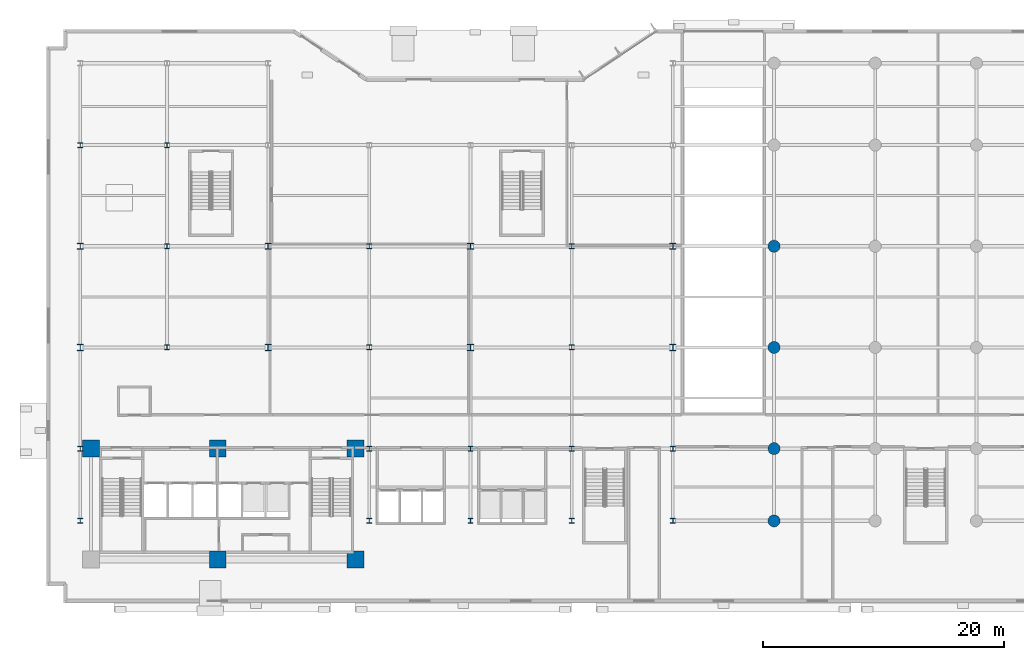
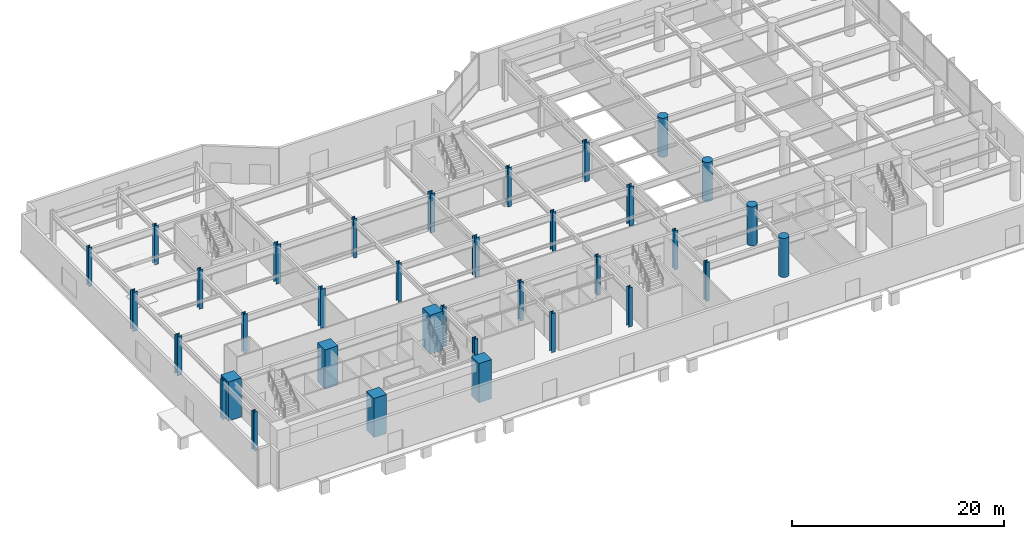
# One storey, part 2 of 26: 35 columns.
"""IFC4 building model written with IfcOpenShell, lengths in metres."""

from ifc_helpers import new_model, si_unit, direction, frame, origin, origin_2d, place, context, subcontext, project, spatial, rectangle, circle, i_section, extrude, material, material_profile, profile_set, type_object, element, save


model = new_model("IFC4")

# Units and contexts
model_context = context("Model", 3, precision=1e-05, world=origin(), true_north=direction((0.0, 1.0)))
body_context = subcontext(model_context, "Body", "Model", "MODEL_VIEW")
ifc_project = project(units=[si_unit("LENGTHUNIT", "METRE"), si_unit("AREAUNIT", "SQUARE_METRE"), si_unit("VOLUMEUNIT", "CUBIC_METRE"), si_unit("PLANEANGLEUNIT", "RADIAN"), si_unit("MASSUNIT", "GRAM", prefix="KILO")], contexts=[model_context])

# Site, building, storey
site_placement = place(None, origin())
site = spatial("IfcSite", under=ifc_project, at=site_placement, CompositionType="ELEMENT")
building_placement = place(site_placement, origin())
building = spatial("IfcBuilding", under=site, at=building_placement, Name="Varnakote Quay Hospital", CompositionType="ELEMENT")
storey_placement = place(building_placement, origin())
storey = spatial("IfcBuildingStorey", under=building, at=storey_placement, Name="L00", CompositionType="ELEMENT", Elevation=0.0)

# Columns
ifc_material_1 = material(Name="Concrete N80 (f'c 80 MPa)", Category="concrete")
ifc_material_profile_1 = material_profile(ifc_material_1, rectangle(XDim=1.39990234375, YDim=1.39990234375, at=origin_2d()), Name="RC-COL-1400x1400")
ifc_profile_set_1 = profile_set([ifc_material_profile_1], Name="Concrete N80 (f'c 80 MPa)")
column_type_1 = type_object("IfcColumnType", Name="COL-RC-1400", PredefinedType="COLUMN", material=ifc_profile_set_1)
for number, where, z_axis, x_axis, name in (
    (1, (12.6201171875, 2.800048828125, 0.0), (0.0, 0.0, 1.0), (1.0, 0.0, 0.0), "L00 Structural Column C-13-3"),
    (2, (24.050048828125, 2.800048828125, 0.0), (0.0, 0.0, 1.0), (1.0, 0.0, 0.0), "L00 Structural Column C-24-3"),
    (3, (2.10009765625, 12.0, 0.0), (0.0, 0.0, 1.0), (1.0, 0.0, 0.0), "L00 Structural Column C-2-12"),
    (4, (12.6201171875, 12.0, 0.0), (0.0, 0.0, 1.0), (1.0, 0.0, 0.0), "L00 Structural Column C-13-12"),
    (5, (24.050048828125, 12.0, 0.0), (0.0, 0.0, 1.0), (1.0, 0.0, 0.0), "L00 Structural Column C-24-12"),
):
    element("IfcColumn", number, at=place(storey_placement, frame(where, z_axis=z_axis, x_axis=x_axis)), inside=storey, type_object=column_type_1, Name=name, PredefinedType="COLUMN", context=body_context, shape_type="SweptSolid", body=[
        extrude(rectangle(XDim=1.39990234375, YDim=1.39990234375, at=origin_2d()), origin(), (0.0, 0.0, 1.0), 4.5),
    ])
ifc_material_2 = material(Name="Concrete N65 (f'c 65 MPa)", Category="concrete")
ifc_material_profile_2 = material_profile(ifc_material_2, circle(Radius=0.5, at=origin_2d()), Name="RC-COL-D1000")
ifc_profile_set_2 = profile_set([ifc_material_profile_2], Name="Concrete N65 (f'c 65 MPa)")
column_type_2 = type_object("IfcColumnType", Name="COL-RC-D1000", PredefinedType="COLUMN", material=ifc_profile_set_2)
for number, where, z_axis, x_axis, name in (
    (6, (58.800048828125, 6.0, 0.0), (0.0, 0.0, 1.0), (1.0, 0.0, 0.0), "L00 Structural Column C-59-6"),
    (7, (58.800048828125, 12.0, 0.0), (0.0, 0.0, 1.0), (1.0, 0.0, 0.0), "L00 Structural Column C-59-12"),
    (8, (58.800048828125, 20.39990234375, 0.0), (0.0, 0.0, 1.0), (1.0, 0.0, 0.0), "L00 Structural Column C-59-20"),
    (9, (58.800048828125, 28.800048828125, 0.0), (0.0, 0.0, 1.0), (1.0, 0.0, 0.0), "L00 Structural Column C-59-29"),
):
    element("IfcColumn", number, at=place(storey_placement, frame(where, z_axis=z_axis, x_axis=x_axis)), inside=storey, type_object=column_type_2, Name=name, PredefinedType="COLUMN", context=body_context, shape_type="SweptSolid", body=[
        extrude(circle(Radius=0.5, at=origin_2d()), origin(), (0.0, 0.0, 1.0), 4.5),
    ])
ifc_material_3 = material(Name="Structural steel AS/NZS 3678 Grade 350 (fy 340 MPa)", Category="steel")
ifc_material_profile_3 = material_profile(ifc_material_3, i_section(OverallWidth=0.39990234375, OverallDepth=0.419921875, WebThickness=0.02490234375, FlangeThickness=0.0400390625, at=origin_2d()), Name="400WC328")
ifc_profile_set_3 = profile_set([ifc_material_profile_3], Name="Structural steel AS/NZS 3678 Grade 350 (fy 340 MPa)")
column_type_3 = type_object("IfcColumnType", Name="COL-STL-400WC328", PredefinedType="COLUMN", material=ifc_profile_set_3)
for number, where, z_axis, x_axis, name in (
    (10, (1.199951171875, 6.0, 0.0), (0.0, 0.0, 1.0), (1.0, 0.0, 0.0), "L00 Structural Column C-1-6"),
    (11, (25.199951171875, 6.0, 0.0), (0.0, 0.0, 1.0), (1.0, 0.0, 0.0), "L00 Structural Column C-25-6"),
    (12, (33.60009765625, 6.0, 0.0), (0.0, 0.0, 1.0), (1.0, 0.0, 0.0), "L00 Structural Column C-34-6"),
    (13, (42.0, 6.0, 0.0), (0.0, 0.0, 1.0), (1.0, 0.0, 0.0), "L00 Structural Column C-42-6"),
    (14, (50.39990234375, 6.0, 0.0), (0.0, 0.0, 1.0), (1.0, 0.0, 0.0), "L00 Structural Column C-50-6"),
    (15, (1.199951171875, 12.0, 0.0), (0.0, 0.0, 1.0), (1.0, 0.0, 0.0), "L00 Structural Column C-1-12"),
    (16, (25.199951171875, 12.0, 0.0), (0.0, 0.0, 1.0), (1.0, 0.0, 0.0), "L00 Structural Column C-25-12"),
    (17, (33.60009765625, 12.0, 0.0), (0.0, 0.0, 1.0), (1.0, 0.0, 0.0), "L00 Structural Column C-34-12"),
    (18, (42.0, 12.0, 0.0), (0.0, 0.0, 1.0), (1.0, 0.0, 0.0), "L00 Structural Column C-42-12"),
    (19, (50.39990234375, 12.0, 0.0), (0.0, 0.0, 1.0), (1.0, 0.0, 0.0), "L00 Structural Column C-50-12"),
    (20, (8.39990234375, 20.39990234375, 0.0), (0.0, 0.0, 1.0), (1.0, 0.0, 0.0), "L00 Structural Column C-8-20"),
    (21, (25.199951171875, 20.39990234375, 0.0), (0.0, 0.0, 1.0), (1.0, 0.0, 0.0), "L00 Structural Column C-25-20"),
    (22, (42.0, 20.39990234375, 0.0), (0.0, 0.0, 1.0), (1.0, 0.0, 0.0), "L00 Structural Column C-42-20"),
    (23, (8.39990234375, 28.800048828125, 0.0), (0.0, 0.0, 1.0), (1.0, 0.0, 0.0), "L00 Structural Column C-8-29"),
    (24, (25.199951171875, 28.800048828125, 0.0), (0.0, 0.0, 1.0), (1.0, 0.0, 0.0), "L00 Structural Column C-25-29"),
    (25, (42.0, 28.800048828125, 0.0), (0.0, 0.0, 1.0), (1.0, 0.0, 0.0), "L00 Structural Column C-42-29"),
    (26, (1.199951171875, 37.199951171875, 0.0), (0.0, 0.0, 1.0), (1.0, 0.0, 0.0), "L00 Structural Column C-1-37"),
    (27, (8.39990234375, 37.199951171875, 0.0), (0.0, 0.0, 1.0), (1.0, 0.0, 0.0), "L00 Structural Column C-8-37"),
):
    element("IfcColumn", number, at=place(storey_placement, frame(where, z_axis=z_axis, x_axis=x_axis)), inside=storey, type_object=column_type_3, Name=name, PredefinedType="COLUMN", context=body_context, shape_type="SweptSolid", body=[
        extrude(i_section(OverallWidth=0.39990234375, OverallDepth=0.419921875, WebThickness=0.02490234375, FlangeThickness=0.0400390625, at=origin_2d()), origin(), (0.0, 0.0, 1.0), 4.5),
    ])
ifc_material_4 = material(Name="Structural steel AS/NZS 3678 Grade 350 (fy 340 MPa)", Category="steel")
ifc_material_profile_4 = material_profile(ifc_material_4, i_section(OverallWidth=0.5, OverallDepth=0.530029296875, WebThickness=0.028076171875, FlangeThickness=0.044921875, at=origin_2d()), Name="500WC440")
ifc_profile_set_4 = profile_set([ifc_material_profile_4], Name="Structural steel AS/NZS 3678 Grade 350 (fy 340 MPa)")
column_type_4 = type_object("IfcColumnType", Name="COL-STL-500WC440", PredefinedType="COLUMN", material=ifc_profile_set_4)
for number, where, z_axis, x_axis, name in (
    (28, (1.199951171875, 20.39990234375, 0.0), (0.0, 0.0, 1.0), (1.0, 0.0, 0.0), "L00 Structural Column C-1-20"),
    (29, (16.800048828125, 20.39990234375, 0.0), (0.0, 0.0, 1.0), (1.0, 0.0, 0.0), "L00 Structural Column C-17-20"),
    (30, (33.60009765625, 20.39990234375, 0.0), (0.0, 0.0, 1.0), (1.0, 0.0, 0.0), "L00 Structural Column C-34-20"),
    (31, (50.39990234375, 20.39990234375, 0.0), (0.0, 0.0, 1.0), (1.0, 0.0, 0.0), "L00 Structural Column C-50-20"),
    (32, (1.199951171875, 28.800048828125, 0.0), (0.0, 0.0, 1.0), (1.0, 0.0, 0.0), "L00 Structural Column C-1-29"),
    (33, (16.800048828125, 28.800048828125, 0.0), (0.0, 0.0, 1.0), (1.0, 0.0, 0.0), "L00 Structural Column C-17-29"),
    (34, (33.60009765625, 28.800048828125, 0.0), (0.0, 0.0, 1.0), (1.0, 0.0, 0.0), "L00 Structural Column C-34-29"),
    (35, (50.39990234375, 28.800048828125, 0.0), (0.0, 0.0, 1.0), (1.0, 0.0, 0.0), "L00 Structural Column C-50-29"),
):
    element("IfcColumn", number, at=place(storey_placement, frame(where, z_axis=z_axis, x_axis=x_axis)), inside=storey, type_object=column_type_4, Name=name, PredefinedType="COLUMN", context=body_context, shape_type="SweptSolid", body=[
        extrude(i_section(OverallWidth=0.5, OverallDepth=0.530029296875, WebThickness=0.028076171875, FlangeThickness=0.044921875, at=origin_2d()), origin(), (0.0, 0.0, 1.0), 4.5),
    ])

save(model, "model.ifc")
